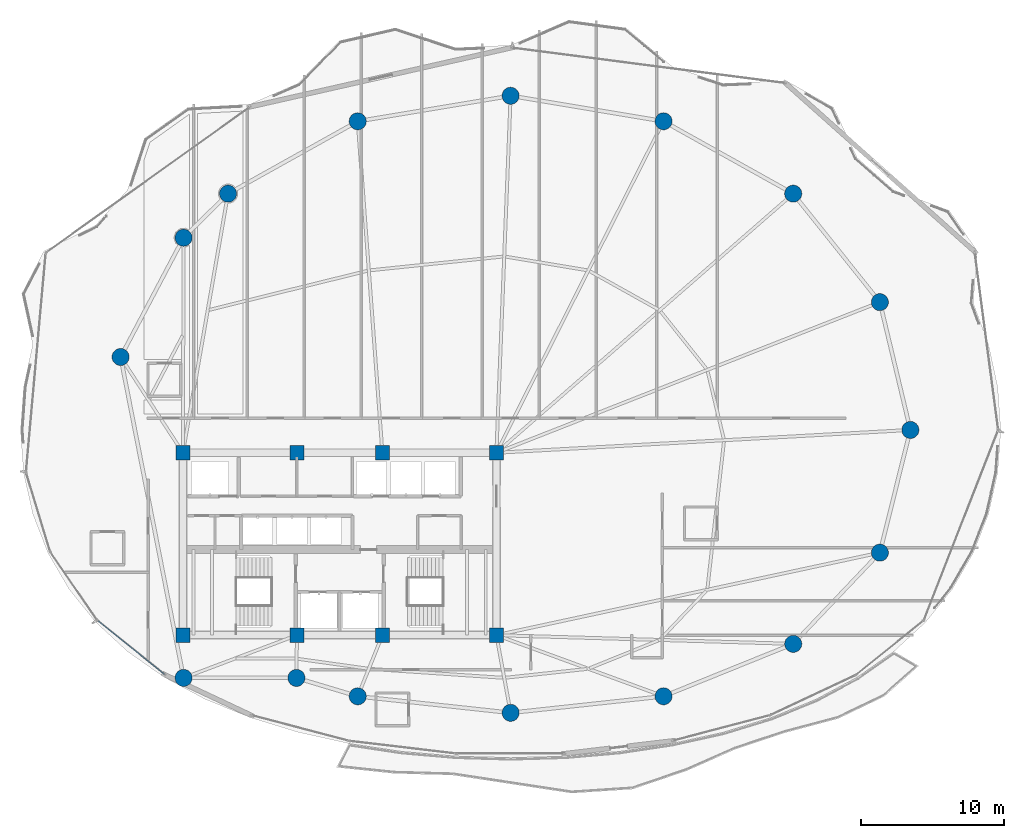
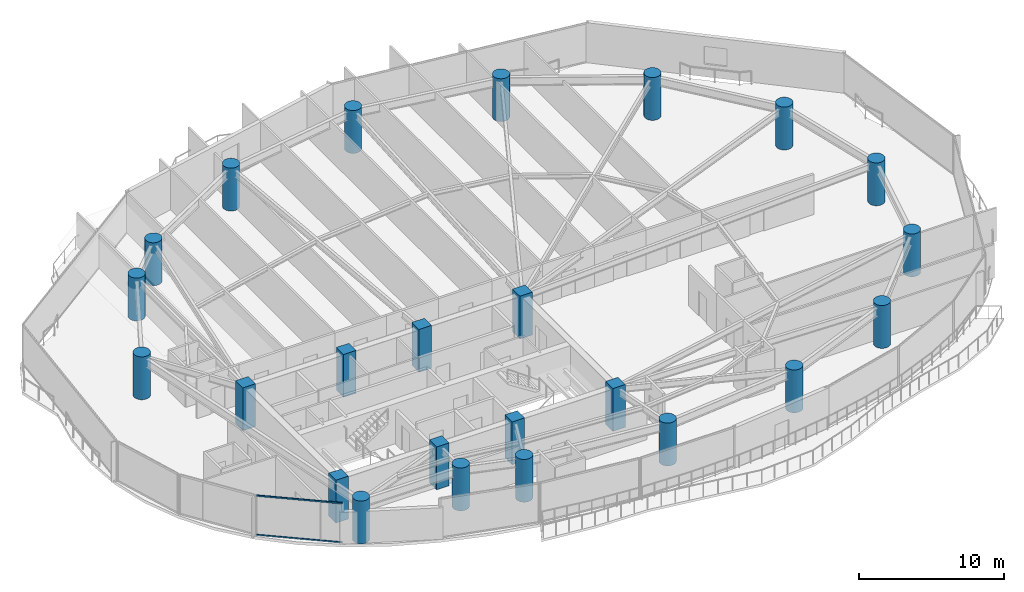
# One storey, part 1 of 33: 24 columns, 2 members, 1 element without a shape of its own.
"""IFC4 building model written with IfcOpenShell, lengths in metres."""

from ifc_helpers import new_model, si_unit, direction, frame, origin, origin_2d, place, context, subcontext, project, spatial, rectangle, hollow_rectangle, circle, extrude, material, layer, layer_set, material_profile, profile_set, type_object, element, aggregate, save


model = new_model("IFC4")

# Units and contexts
model_context = context("Model", 3, precision=1e-05, world=origin(), true_north=direction((0.0, 1.0)))
body_context = subcontext(model_context, "Body", "Model", "MODEL_VIEW")
ifc_project = project(units=[si_unit("LENGTHUNIT", "METRE"), si_unit("AREAUNIT", "SQUARE_METRE"), si_unit("VOLUMEUNIT", "CUBIC_METRE"), si_unit("PLANEANGLEUNIT", "RADIAN"), si_unit("MASSUNIT", "GRAM", prefix="KILO")], contexts=[model_context])

# Site, building, storey
site_placement = place(None, origin())
site = spatial("IfcSite", under=ifc_project, at=site_placement, CompositionType="ELEMENT")
building_placement = place(site_placement, origin())
building = spatial("IfcBuilding", under=site, at=building_placement, Name="Kazevale Care Tower and Concert Hall", CompositionType="ELEMENT")
storey_placement = place(building_placement, frame((0.0, 0.0, 145.800048828125)))
storey = spatial("IfcBuildingStorey", under=building, at=storey_placement, Name="L38", CompositionType="ELEMENT", Elevation=145.800048828125)

# Columns
ifc_material_1 = material(Name="Concrete C60", Category="concrete")
ifc_material_profile_1 = material_profile(ifc_material_1, rectangle(XDim=1.0, YDim=1.0, at=origin_2d()), Name="RC-SQ1000")
ifc_profile_set_1 = profile_set([ifc_material_profile_1], Name="Concrete C60")
column_type_1 = type_object("IfcColumnType", Name="Core Column SQ1000 C60", PredefinedType="COLUMN", material=ifc_profile_set_1)
for number, where, z_axis, x_axis, name in (
    (1, (22.0, 23.60009765625, 0.0), (0.0, 0.0, 1.0), (1.0, 0.0, 0.0), "col:L38:CC-01"),
    (2, (30.0, 23.60009765625, 0.0), (0.0, 0.0, 1.0), (1.0, 0.0, 0.0), "col:L38:CC-02"),
    (3, (36.0, 23.60009765625, 0.0), (0.0, 0.0, 1.0), (1.0, 0.0, 0.0), "col:L38:CC-03"),
    (4, (44.0, 23.60009765625, 0.0), (0.0, 0.0, 1.0), (1.0, 0.0, 0.0), "col:L38:CC-04"),
    (5, (44.0, 36.39990234375, 0.0), (0.0, 0.0, 1.0), (1.0, 0.0, 0.0), "col:L38:CC-05"),
    (6, (36.0, 36.39990234375, 0.0), (0.0, 0.0, 1.0), (1.0, 0.0, 0.0), "col:L38:CC-06"),
    (7, (30.0, 36.39990234375, 0.0), (0.0, 0.0, 1.0), (1.0, 0.0, 0.0), "col:L38:CC-07"),
    (8, (22.0, 36.39990234375, 0.0), (0.0, 0.0, 1.0), (1.0, 0.0, 0.0), "col:L38:CC-08"),
):
    element("IfcColumn", number, at=place(storey_placement, frame(where, z_axis=z_axis, x_axis=x_axis)), inside=storey, type_object=column_type_1, Name=name, PredefinedType="COLUMN", context=body_context, shape_type="SweptSolid", body=[
        extrude(rectangle(XDim=1.0, YDim=1.0, at=origin_2d()), origin(), (0.0, 0.0, 1.0), 3.599853515625),
    ])
ifc_material_profile_2 = material_profile(ifc_material_1, circle(Radius=0.60009765625, at=origin_2d()), Name="RC-CIR1200")
ifc_profile_set_2 = profile_set([ifc_material_profile_2], Name="Concrete C60")
column_type_2 = type_object("IfcColumnType", Name="Perimeter Column CIR1200 C60", PredefinedType="COLUMN", material=ifc_profile_set_2)
for number, where, z_axis, x_axis, name in (
    (9, (73.050048828125, 38.0, 0.0), (0.0, 0.0, 1.0), (1.0, 0.0, 0.0), "col:L38:PC-01"),
    (10, (70.909912109375, 46.969970703125, 0.0), (0.0, 0.0, 1.0), (1.0, 0.0, 0.0), "col:L38:PC-02"),
    (11, (64.830078125, 54.580078125, 0.0), (0.0, 0.0, 1.0), (1.0, 0.0, 0.0), "col:L38:PC-03"),
    (12, (55.72998046875, 59.659912109375, 0.0), (0.0, 0.0, 1.0), (1.0, 0.0, 0.0), "col:L38:PC-04"),
    (13, (45.0, 61.449951171875, 0.0), (0.0, 0.0, 1.0), (1.0, 0.0, 0.0), "col:L38:PC-05"),
    (14, (34.27001953125, 59.659912109375, 0.0), (0.0, 0.0, 1.0), (1.0, 0.0, 0.0), "col:L38:PC-06"),
    (15, (25.169921875, 54.580078125, 0.0), (0.0, 0.0, 1.0), (1.0, 0.0, 0.0), "col:L38:PC-07"),
    (16, (22.050048828125, 51.489990234375, 0.0), (0.0, 0.0, 1.0), (1.0, 0.0, 0.0), "col:L38:PC-08"),
    (17, (17.6298828125, 43.1201171875, 0.0), (0.0, 0.0, 1.0), (1.0, 0.0, 0.0), "col:L38:PC-09"),
    (18, (22.050048828125, 20.60009765625, 0.0), (0.0, 0.0, 1.0), (1.0, 0.0, 0.0), "col:L38:PC-10"),
    (19, (29.969970703125, 20.60009765625, 0.0), (0.0, 0.0, 1.0), (1.0, 0.0, 0.0), "col:L38:PC-11"),
    (20, (34.27001953125, 19.31005859375, 0.0), (0.0, 0.0, 1.0), (1.0, 0.0, 0.0), "col:L38:PC-12"),
    (21, (45.0, 18.14990234375, 0.0), (0.0, 0.0, 1.0), (1.0, 0.0, 0.0), "col:L38:PC-13"),
    (22, (55.72998046875, 19.31005859375, 0.0), (0.0, 0.0, 1.0), (1.0, 0.0, 0.0), "col:L38:PC-14"),
    (23, (64.830078125, 22.989990234375, 0.0), (0.0, 0.0, 1.0), (1.0, 0.0, 0.0), "col:L38:PC-15"),
    (24, (70.909912109375, 29.389892578125, 0.0), (0.0, 0.0, 1.0), (1.0, 0.0, 0.0), "col:L38:PC-16"),
):
    element("IfcColumn", number, at=place(storey_placement, frame(where, z_axis=z_axis, x_axis=x_axis)), inside=storey, type_object=column_type_2, Name=name, PredefinedType="COLUMN", context=body_context, shape_type="SweptSolid", body=[
        extrude(circle(Radius=0.60009765625, at=origin_2d()), origin(), (0.0, 0.0, 1.0), 3.599853515625),
    ])

# Curtain wall, members
ifc_material_2 = material(Name="Aluminium 6063-T6 and Low-E Glass", Category="aluminium")
ifc_layer = layer(ifc_material_2, 0.179931640625)
ifc_layer_set = layer_set([ifc_layer], Name="Aluminium 6063-T6 and Low-E Glass")
curtain_wall_type = type_object("IfcCurtainWallType", Name="Sheltered Concave Balcony Curtain Wall CW-5", PredefinedType="NOTDEFINED", material=ifc_layer_set)
curtain_wall_placement = place(storey_placement, origin())
curtain_wall = element("IfcCurtainWall", 25, at=curtain_wall_placement, inside=storey, type_object=curtain_wall_type, Name="cw:L38:f10", PredefinedType="NOTDEFINED")
ifc_material_3 = material(Name="Aluminium 6063-T6", Category="aluminium")
ifc_material_profile_3 = material_profile(ifc_material_3, hollow_rectangle(XDim=0.074951171875, YDim=0.1201171875, WallThickness=0.00390625, at=origin_2d()), Name="ALU75x120x4")
ifc_profile_set_3 = profile_set([ifc_material_profile_3], Name="Aluminium 6063-T6")
member_type = type_object("IfcMemberType", Name="CW-5 Transom ALU75x120x4", PredefinedType="USERDEFINED", material=ifc_profile_set_3)
member_1_placement = place(storey_placement, frame((20.711669921875, 20.85009765625, 0.037353515625), z_axis=(-0.779097461373, 0.626902819966, 0.0), x_axis=(-0.626902819966, -0.779097461373, 0.0)))
member_1 = element("IfcMember", 26, at=member_1_placement, type_object=member_type, Name="CW-5 transom 1.1", ObjectType="TRANSOM", PredefinedType="USERDEFINED", context=body_context, shape_type="SweptSolid", body=[
    extrude(hollow_rectangle(XDim=0.074951171875, YDim=0.1201171875, WallThickness=0.00390625, at=origin_2d()), origin(), (0.0, 0.0, 1.0), 5.96728515625),
])
member_2_placement = place(storey_placement, frame((20.711669921875, 20.85009765625, 3.322509765625), z_axis=(-0.779097461373, 0.626902819966, 0.0), x_axis=(-0.626902819966, -0.779097461373, 0.0)))
member_2 = element("IfcMember", 27, at=member_2_placement, type_object=member_type, Name="CW-5 transom 1.2", ObjectType="TRANSOM", PredefinedType="USERDEFINED", context=body_context, shape_type="SweptSolid", body=[
    extrude(hollow_rectangle(XDim=0.074951171875, YDim=0.1201171875, WallThickness=0.00390625, at=origin_2d()), origin(), (0.0, 0.0, 1.0), 5.96728515625),
])
aggregate(curtain_wall, [member_1, member_2])

save(model, "model.ifc")
